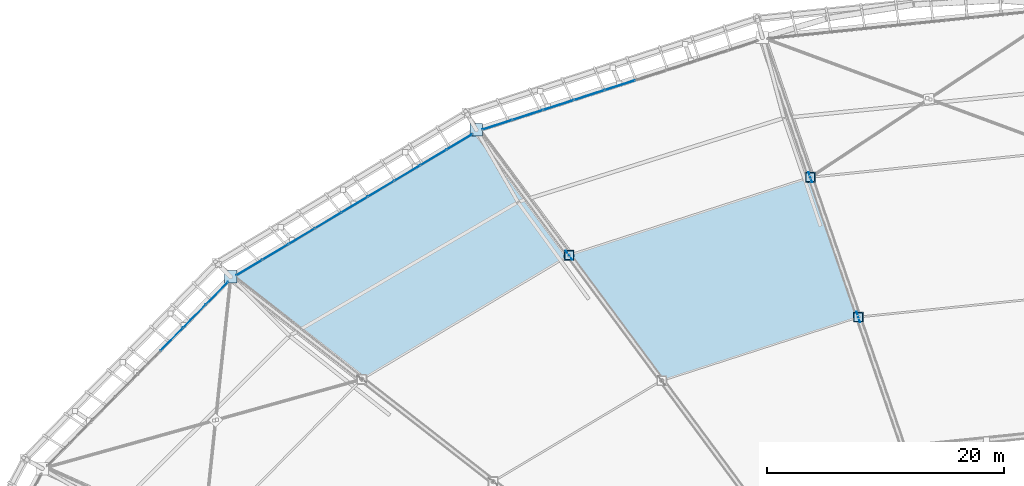
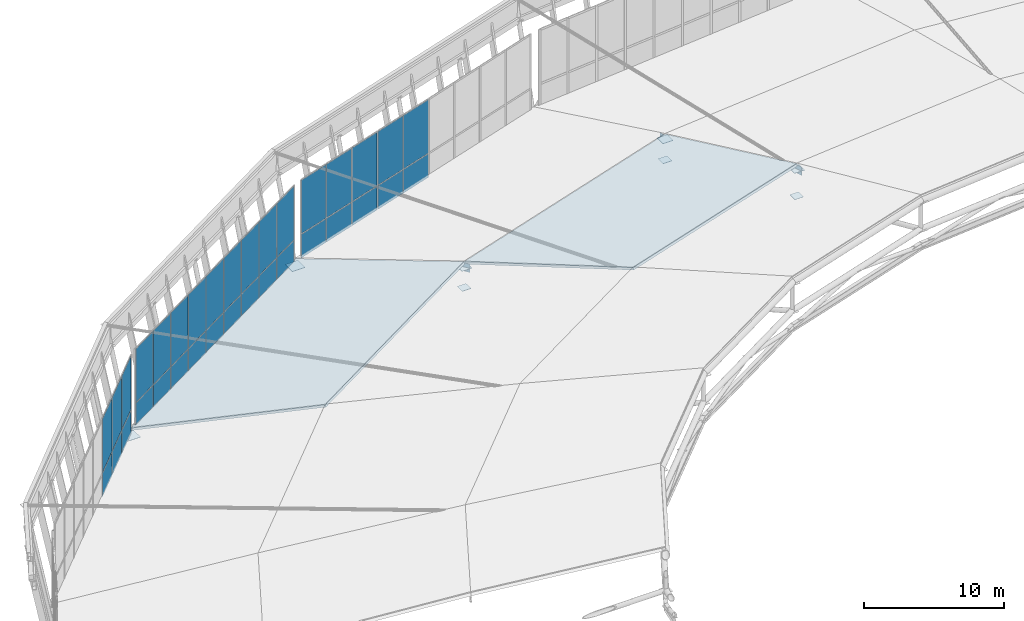
# One storey, part 96 of 115: 45 plates, 2 slabs, 4 elements without a shape of their own.
"""IFC4 building model written with IfcOpenShell, lengths in metres."""

from ifc_helpers import new_model, si_unit, direction, frame, origin, origin_2d, place, context, subcontext, project, spatial, polyline, rectangle, outline, extrude, material, layer, layer_set, type_object, element, aggregate, save


model = new_model("IFC4")

# Units and contexts
model_context = context("Model", 3, precision=1e-05, world=origin(), true_north=direction((0.0, 1.0)))
body_context = subcontext(model_context, "Body", "Model", "MODEL_VIEW")
ifc_project = project(units=[si_unit("LENGTHUNIT", "METRE"), si_unit("AREAUNIT", "SQUARE_METRE"), si_unit("VOLUMEUNIT", "CUBIC_METRE"), si_unit("PLANEANGLEUNIT", "RADIAN"), si_unit("MASSUNIT", "GRAM", prefix="KILO")], contexts=[model_context])

# Site, building, storey
site_placement = place(None, origin())
site = spatial("IfcSite", under=ifc_project, at=site_placement, CompositionType="ELEMENT")
building_placement = place(site_placement, origin())
building = spatial("IfcBuilding", under=site, at=building_placement, Name="Zlatoyarsky Gate Stadium", CompositionType="ELEMENT")
storey_placement = place(building_placement, frame((0.0, 0.0, 31.800048828125)))
storey = spatial("IfcBuildingStorey", under=building, at=storey_placement, Name="RF", CompositionType="ELEMENT", Elevation=31.800048828125)

# Roof, slabs
ifc_material_1 = material(Name="Standing-seam aluminium-zinc roofing with mineral wool insulation", Category="aluminium")
ifc_layer_1 = layer(ifc_material_1, 0.080078125)
ifc_layer_set_1 = layer_set([ifc_layer_1], Name="Standing-seam aluminium-zinc roofing with mineral wool insulation")
roof_type = type_object("IfcRoofType", Name="STADIUM BARREL VAULT ROOF ASSEMBLY", PredefinedType="BARREL_ROOF", material=ifc_layer_set_1)
roof_placement = place(storey_placement, origin())
roof = element("IfcRoof", 1, at=roof_placement, inside=storey, type_object=roof_type, Name="Stadium barrel arch roof sector 3", PredefinedType="BARREL_ROOF")
ifc_material_2 = material(Name="Concrete C40/50", Category="concrete")
ifc_layer_2 = layer(ifc_material_2, 0.199951171875)
ifc_layer_set_2 = layer_set([ifc_layer_2], Name="Concrete C40/50")
slab_type = type_object("IfcSlabType", Name="COMPOSITE STADIUM ROOF DECK SLAB 200", PredefinedType="ROOF", material=ifc_layer_set_2)
slab_1_placement = place(storey_placement, frame((89.159912109375, 143.581298828125, 3.599853515625), z_axis=(-0.075351968542, 0.233204753285, 0.969503802923), x_axis=(-0.951559522359, -0.30746459212, 3.31256e-07)))
slab_1 = element("IfcSlab", 2, at=slab_1_placement, type_object=slab_type, Name="Stadium arched roof deck sector 07 bay 2", PredefinedType="ROOF", context=body_context, shape_type="SweptSolid", body=[
    extrude(outline(polyline([(0.0, 0.0), (21.387588030422577, 1.7763568394002505e-15), (17.193709101244803, 12.853716278917284), (-0.22858825752056824, 12.853768736129387), (0.0, 0.0)])), origin(), (0.0, 0.0, -1.0), 0.199951171875),
])
slab_2_placement = place(storey_placement, frame((60.986083984375, 147.573974609375, 0.199951171875), z_axis=(-0.129152879329, 0.215770189277, 0.967865052154), x_axis=(-0.8580340905, -0.51359273704, 4.42967e-07)))
slab_2 = element("IfcSlab", 3, at=slab_2_placement, type_object=slab_type, Name="Stadium arched roof deck sector 08 bay 1", PredefinedType="ROOF", context=body_context, shape_type="SweptSolid", body=[
    extrude(outline(polyline([(0.0, 0.0), (24.1439241753555, 0.0), (19.08400200367485, 13.520068961575209), (-1.2838110588714116, 13.520147369410287), (0.0, 0.0)])), origin(), (0.0, 0.0, -1.0), 0.199951171875),
])
aggregate(roof, [slab_1, slab_2])

# Plates
ifc_material_3 = material(Name="Steel S355", Category="steel")
ifc_layer_3 = layer(ifc_material_3, 0.02392578125)
ifc_layer_set_3 = layer_set([ifc_layer_3], Name="Steel S355")
plate_type_1 = type_object("IfcPlateType", Name="STEEL COMPRESSION RING NODE CAP SHEET 24", PredefinedType="SHEET", material=ifc_layer_set_3)
for number, where, z_axis, x_axis, name in (
    (4, (60.986083984375, 147.573974609375, -0.4619140625), (0.0, 0.0, 1.0), (1.0, 0.0, 0.0), "Node closure plate ND-CR1 NCAP-CR-08"),
    (5, (40.269775390625, 135.173828125, -0.4619140625), (0.0, 0.0, 1.0), (1.0, 0.0, 0.0), "Node closure plate ND-CR1 NCAP-CR-09"),
):
    element("IfcPlate", number, at=place(storey_placement, frame(where, z_axis=z_axis, x_axis=x_axis)), inside=storey, type_object=plate_type_1, Name=name, PredefinedType="SHEET", context=body_context, shape_type="SweptSolid", body=[
        extrude(rectangle(XDim=1.050048828125, YDim=1.050048828125, at=origin_2d()), origin(), (0.0, 0.0, 1.0), 0.02392578125),
    ])
ifc_layer_4 = layer(ifc_material_3, 0.02392578125)
ifc_layer_set_4 = layer_set([ifc_layer_4], Name="Steel S355")
plate_type_2 = type_object("IfcPlateType", Name="STEEL HOLLOW CHORD SPLICE SHEET 24", PredefinedType="SHEET", material=ifc_layer_set_4)
plate_1_placement = place(storey_placement, frame((89.159912109375, 143.581298828125, 3.137939453125), z_axis=(0.0, 0.0, 1.0), x_axis=(1.0, 0.0, 0.0)))
element("IfcPlate", 6, at=plate_1_placement, inside=storey, type_object=plate_type_2, Name="Node closure plate ND-SP1 NCAP-TCH-07-1", PredefinedType="SHEET", context=body_context, shape_type="SweptSolid", body=[
    extrude(rectangle(XDim=0.85009765625, YDim=0.85009765625, at=origin_2d()), origin(), (0.0, 0.0, 1.0), 0.02392578125),
])
plate_2_placement = place(storey_placement, frame((89.159912109375, 143.581298828125, 1.337890625), z_axis=(0.0, 0.0, 1.0), x_axis=(1.0, 0.0, 0.0)))
element("IfcPlate", 7, at=plate_2_placement, inside=storey, type_object=plate_type_2, Name="Node closure plate ND-SP1 NCAP-BCH-07-1", PredefinedType="SHEET", context=body_context, shape_type="SweptSolid", body=[
    extrude(rectangle(XDim=0.719970703125, YDim=0.719970703125, at=origin_2d()), origin(), (0.0, 0.0, 1.0), 0.02392578125),
])
plate_3_placement = place(storey_placement, frame((93.208984375, 131.79345703125, 6.2880859375), z_axis=(0.0, 0.0, 1.0), x_axis=(1.0, 0.0, 0.0)))
element("IfcPlate", 8, at=plate_3_placement, inside=storey, type_object=plate_type_2, Name="Node closure plate ND-SP1 NCAP-TCH-07-2", PredefinedType="SHEET", context=body_context, shape_type="SweptSolid", body=[
    extrude(rectangle(XDim=0.85009765625, YDim=0.85009765625, at=origin_2d()), origin(), (0.0, 0.0, 1.0), 0.02392578125),
])
plate_4_placement = place(storey_placement, frame((93.208984375, 131.79345703125, 3.93798828125), z_axis=(0.0, 0.0, 1.0), x_axis=(1.0, 0.0, 0.0)))
element("IfcPlate", 9, at=plate_4_placement, inside=storey, type_object=plate_type_2, Name="Node closure plate ND-SP1 NCAP-BCH-07-2", PredefinedType="SHEET", context=body_context, shape_type="SweptSolid", body=[
    extrude(rectangle(XDim=0.719970703125, YDim=0.719970703125, at=origin_2d()), origin(), (0.0, 0.0, 1.0), 0.02392578125),
])
plate_5_placement = place(storey_placement, frame((68.808349609375, 137.00537109375, 3.137939453125), z_axis=(0.0, 0.0, 1.0), x_axis=(1.0, 0.0, 0.0)))
element("IfcPlate", 10, at=plate_5_placement, inside=storey, type_object=plate_type_2, Name="Node closure plate ND-SP1 NCAP-TCH-08-1", PredefinedType="SHEET", context=body_context, shape_type="SweptSolid", body=[
    extrude(rectangle(XDim=0.85009765625, YDim=0.85009765625, at=origin_2d()), origin(), (0.0, 0.0, 1.0), 0.02392578125),
])
plate_6_placement = place(storey_placement, frame((68.808349609375, 137.00537109375, 1.337890625), z_axis=(0.0, 0.0, 1.0), x_axis=(1.0, 0.0, 0.0)))
element("IfcPlate", 11, at=plate_6_placement, inside=storey, type_object=plate_type_2, Name="Node closure plate ND-SP1 NCAP-BCH-08-1", PredefinedType="SHEET", context=body_context, shape_type="SweptSolid", body=[
    extrude(rectangle(XDim=0.719970703125, YDim=0.719970703125, at=origin_2d()), origin(), (0.0, 0.0, 1.0), 0.02392578125),
])
ifc_layer_5 = layer(ifc_material_3, 0.031982421875)
ifc_layer_set_5 = layer_set([ifc_layer_5], Name="Steel S355")
plate_type_3 = type_object("IfcPlateType", Name="STEEL RADIAL TRUSS GUSSET PLATE 32", PredefinedType="USERDEFINED", material=ifc_layer_set_5)
for number, where, z_axis, x_axis, name in (
    (12, (89.159912109375, 143.581298828125, 2.7900390625), (0.0, 0.0, 1.0), (0.324866508477, -0.945759880556, 0.0), "Radial truss gusset plate ND-WB1 07.1"),
    (13, (93.208984375, 131.79345703125, 5.93994140625), (0.0, 0.0, 1.0), (0.324866508477, -0.945759880556, 0.0), "Radial truss gusset plate ND-WB1 07.2"),
    (14, (68.808349609375, 137.00537109375, 2.7900390625), (0.0, 0.0, 1.0), (0.594913145096, -0.8037899911, 0.0), "Radial truss gusset plate ND-WB1 08.1"),
):
    element("IfcPlate", number, at=place(storey_placement, frame(where, z_axis=z_axis, x_axis=x_axis)), inside=storey, type_object=plate_type_3, Name=name, ObjectType="GUSSET PLATE", PredefinedType="USERDEFINED", context=body_context, shape_type="SweptSolid", body=[
        extrude(rectangle(XDim=0.919921875, YDim=0.031982421875, at=origin_2d()), origin(), (0.0, 0.0, 1.0), 0.719970703125),
    ])

# Curtain wall, plates
ifc_material_4 = material(Name="Thermally broken anodised aluminium curtain wall", Category="aluminium")
curtain_wall_type = type_object("IfcCurtainWallType", Name="UNITISED SKYBOX RING GLAZING L05", PredefinedType="USERDEFINED", material=ifc_material_4)
curtain_wall_1_placement = place(storey_placement, origin())
curtain_wall_1 = element("IfcCurtainWall", 15, at=curtain_wall_1_placement, inside=storey, type_object=curtain_wall_type, Name="Curtain wall CW-RF-07", ObjectType="UNITISED GLAZING", PredefinedType="USERDEFINED")
ifc_material_5 = material(Name="Triple-glazed argon low-e architectural glass", Category="glass")
ifc_layer_6 = layer(ifc_material_5, 0.0380859375)
ifc_layer_set_6 = layer_set([ifc_layer_6], Name="Triple-glazed argon low-e architectural glass")
plate_type_4 = type_object("IfcPlateType", Name="TRIPLE GLAZED LOW E CURTAIN PANEL 38", PredefinedType="CURTAIN_PANEL", material=ifc_layer_set_6)
plate_7_placement = place(storey_placement, frame((73.101806640625, 151.343017578125, 0.06494140625), z_axis=(0.0, 0.0, 1.0), x_axis=(-0.951595836439, -0.307352182475, 0.0)))
plate_7 = element("IfcPlate", 16, at=plate_7_placement, type_object=plate_type_4, Name="CW-UG5 panel 5.1", PredefinedType="CURTAIN_PANEL", context=body_context, shape_type="SweptSolid", body=[
    extrude(rectangle(XDim=2.658935546875, YDim=0.0380859375, at=origin_2d()), origin(), (0.0, 0.0, 1.0), 2.052490234375),
])
plate_8_placement = place(storey_placement, frame((73.101806640625, 151.343017578125, 2.1826171875), z_axis=(0.0, 0.0, 1.0), x_axis=(-0.951595836439, -0.307352182475, 0.0)))
plate_8 = element("IfcPlate", 17, at=plate_8_placement, type_object=plate_type_4, Name="CW-UG5 panel 5.2", PredefinedType="CURTAIN_PANEL", context=body_context, shape_type="SweptSolid", body=[
    extrude(rectangle(XDim=2.658935546875, YDim=0.0380859375, at=origin_2d()), origin(), (0.0, 0.0, 1.0), 4.652587890625),
])
plate_9_placement = place(storey_placement, frame((70.509521484375, 150.505859375, 0.06494140625), z_axis=(0.0, 0.0, 1.0), x_axis=(-0.951595836439, -0.307352182475, 0.0)))
plate_9 = element("IfcPlate", 18, at=plate_9_placement, type_object=plate_type_4, Name="CW-UG5 panel 6.1", PredefinedType="CURTAIN_PANEL", context=body_context, shape_type="SweptSolid", body=[
    extrude(rectangle(XDim=2.658935546875, YDim=0.0380859375, at=origin_2d()), origin(), (0.0, 0.0, 1.0), 2.052490234375),
])
plate_10_placement = place(storey_placement, frame((70.509521484375, 150.505859375, 2.1826171875), z_axis=(0.0, 0.0, 1.0), x_axis=(-0.951595836439, -0.307352182475, 0.0)))
plate_10 = element("IfcPlate", 19, at=plate_10_placement, type_object=plate_type_4, Name="CW-UG5 panel 6.2", PredefinedType="CURTAIN_PANEL", context=body_context, shape_type="SweptSolid", body=[
    extrude(rectangle(XDim=2.658935546875, YDim=0.0380859375, at=origin_2d()), origin(), (0.0, 0.0, 1.0), 4.652587890625),
])
plate_11_placement = place(storey_placement, frame((67.917236328125, 149.668701171875, 0.06494140625), z_axis=(0.0, 0.0, 1.0), x_axis=(-0.951595836439, -0.307352182475, 0.0)))
plate_11 = element("IfcPlate", 20, at=plate_11_placement, type_object=plate_type_4, Name="CW-UG5 panel 7.1", PredefinedType="CURTAIN_PANEL", context=body_context, shape_type="SweptSolid", body=[
    extrude(rectangle(XDim=2.658935546875, YDim=0.0380859375, at=origin_2d()), origin(), (0.0, 0.0, 1.0), 2.052490234375),
])
plate_12_placement = place(storey_placement, frame((67.917236328125, 149.668701171875, 2.1826171875), z_axis=(0.0, 0.0, 1.0), x_axis=(-0.951595836439, -0.307352182475, 0.0)))
plate_12 = element("IfcPlate", 21, at=plate_12_placement, type_object=plate_type_4, Name="CW-UG5 panel 7.2", PredefinedType="CURTAIN_PANEL", context=body_context, shape_type="SweptSolid", body=[
    extrude(rectangle(XDim=2.658935546875, YDim=0.0380859375, at=origin_2d()), origin(), (0.0, 0.0, 1.0), 4.652587890625),
])
plate_13_placement = place(storey_placement, frame((65.3251953125, 148.831298828125, 0.06494140625), z_axis=(0.0, 0.0, 1.0), x_axis=(-0.951595836439, -0.307352182475, 0.0)))
plate_13 = element("IfcPlate", 22, at=plate_13_placement, type_object=plate_type_4, Name="CW-UG5 panel 8.1", PredefinedType="CURTAIN_PANEL", context=body_context, shape_type="SweptSolid", body=[
    extrude(rectangle(XDim=2.658935546875, YDim=0.0380859375, at=origin_2d()), origin(), (0.0, 0.0, 1.0), 2.052490234375),
])
plate_14_placement = place(storey_placement, frame((65.3251953125, 148.831298828125, 2.1826171875), z_axis=(0.0, 0.0, 1.0), x_axis=(-0.951595836439, -0.307352182475, 0.0)))
plate_14 = element("IfcPlate", 23, at=plate_14_placement, type_object=plate_type_4, Name="CW-UG5 panel 8.2", PredefinedType="CURTAIN_PANEL", context=body_context, shape_type="SweptSolid", body=[
    extrude(rectangle(XDim=2.658935546875, YDim=0.0380859375, at=origin_2d()), origin(), (0.0, 0.0, 1.0), 4.652587890625),
])
plate_15_placement = place(storey_placement, frame((62.748291015625, 147.9990234375, 0.06494140625), z_axis=(0.0, 0.0, 1.0), x_axis=(-0.951595836439, -0.307352182475, 0.0)))
plate_15 = element("IfcPlate", 24, at=plate_15_placement, type_object=plate_type_4, Name="CW-UG5 panel 9.1", PredefinedType="CURTAIN_PANEL", context=body_context, shape_type="SweptSolid", body=[
    extrude(rectangle(XDim=2.62646484375, YDim=0.0380859375, at=origin_2d()), origin(), (0.0, 0.0, 1.0), 2.052490234375),
])
plate_16_placement = place(storey_placement, frame((62.748291015625, 147.9990234375, 2.1826171875), z_axis=(0.0, 0.0, 1.0), x_axis=(-0.951595836439, -0.307352182475, 0.0)))
plate_16 = element("IfcPlate", 25, at=plate_16_placement, type_object=plate_type_4, Name="CW-UG5 panel 9.2", PredefinedType="CURTAIN_PANEL", context=body_context, shape_type="SweptSolid", body=[
    extrude(rectangle(XDim=2.62646484375, YDim=0.0380859375, at=origin_2d()), origin(), (0.0, 0.0, 1.0), 4.652587890625),
])
aggregate(curtain_wall_1, [plate_7, plate_8, plate_9, plate_10, plate_11, plate_12, plate_13, plate_14, plate_15, plate_16])

curtain_wall_2_placement = place(storey_placement, origin())
curtain_wall_2 = element("IfcCurtainWall", 26, at=curtain_wall_2_placement, inside=storey, type_object=curtain_wall_type, Name="Curtain wall CW-RF-08", ObjectType="UNITISED GLAZING", PredefinedType="USERDEFINED")
plate_17_placement = place(storey_placement, frame((59.587890625, 146.573974609375, 0.06494140625), z_axis=(0.0, 0.0, 1.0), x_axis=(-0.858127891517, -0.513435995817, 0.0)))
plate_17 = element("IfcPlate", 27, at=plate_17_placement, type_object=plate_type_4, Name="CW-UG5 panel 1.1", PredefinedType="CURTAIN_PANEL", context=body_context, shape_type="SweptSolid", body=[
    extrude(rectangle(XDim=2.4921875, YDim=0.0380859375, at=origin_2d()), origin(), (0.0, 0.0, 1.0), 2.052490234375),
])
plate_18_placement = place(storey_placement, frame((59.587890625, 146.573974609375, 2.1826171875), z_axis=(0.0, 0.0, 1.0), x_axis=(-0.858127891517, -0.513435995817, 0.0)))
plate_18 = element("IfcPlate", 28, at=plate_18_placement, type_object=plate_type_4, Name="CW-UG5 panel 1.2", PredefinedType="CURTAIN_PANEL", context=body_context, shape_type="SweptSolid", body=[
    extrude(rectangle(XDim=2.4921875, YDim=0.0380859375, at=origin_2d()), origin(), (0.0, 0.0, 1.0), 4.652587890625),
])
plate_19_placement = place(storey_placement, frame((57.37939453125, 145.252685546875, 0.06494140625), z_axis=(0.0, 0.0, 1.0), x_axis=(-0.858127891517, -0.513435995817, 0.0)))
plate_19 = element("IfcPlate", 29, at=plate_19_placement, type_object=plate_type_4, Name="CW-UG5 panel 2.1", PredefinedType="CURTAIN_PANEL", context=body_context, shape_type="SweptSolid", body=[
    extrude(rectangle(XDim=2.524658203125, YDim=0.0380859375, at=origin_2d()), origin(), (0.0, 0.0, 1.0), 2.052490234375),
])
plate_20_placement = place(storey_placement, frame((57.37939453125, 145.252685546875, 2.1826171875), z_axis=(0.0, 0.0, 1.0), x_axis=(-0.858127891517, -0.513435995817, 0.0)))
plate_20 = element("IfcPlate", 30, at=plate_20_placement, type_object=plate_type_4, Name="CW-UG5 panel 2.2", PredefinedType="CURTAIN_PANEL", context=body_context, shape_type="SweptSolid", body=[
    extrude(rectangle(XDim=2.524658203125, YDim=0.0380859375, at=origin_2d()), origin(), (0.0, 0.0, 1.0), 4.652587890625),
])
plate_21_placement = place(storey_placement, frame((55.1572265625, 143.923095703125, 0.06494140625), z_axis=(0.0, 0.0, 1.0), x_axis=(-0.858127891517, -0.513435995817, 0.0)))
plate_21 = element("IfcPlate", 31, at=plate_21_placement, type_object=plate_type_4, Name="CW-UG5 panel 3.1", PredefinedType="CURTAIN_PANEL", context=body_context, shape_type="SweptSolid", body=[
    extrude(rectangle(XDim=2.524658203125, YDim=0.0380859375, at=origin_2d()), origin(), (0.0, 0.0, 1.0), 2.052490234375),
])
plate_22_placement = place(storey_placement, frame((55.1572265625, 143.923095703125, 2.1826171875), z_axis=(0.0, 0.0, 1.0), x_axis=(-0.858127891517, -0.513435995817, 0.0)))
plate_22 = element("IfcPlate", 32, at=plate_22_placement, type_object=plate_type_4, Name="CW-UG5 panel 3.2", PredefinedType="CURTAIN_PANEL", context=body_context, shape_type="SweptSolid", body=[
    extrude(rectangle(XDim=2.524658203125, YDim=0.0380859375, at=origin_2d()), origin(), (0.0, 0.0, 1.0), 4.652587890625),
])
plate_23_placement = place(storey_placement, frame((52.934814453125, 142.593505859375, 0.06494140625), z_axis=(0.0, 0.0, 1.0), x_axis=(-0.858127891517, -0.513435995817, 0.0)))
plate_23 = element("IfcPlate", 33, at=plate_23_placement, type_object=plate_type_4, Name="CW-UG5 panel 4.1", PredefinedType="CURTAIN_PANEL", context=body_context, shape_type="SweptSolid", body=[
    extrude(rectangle(XDim=2.524658203125, YDim=0.0380859375, at=origin_2d()), origin(), (0.0, 0.0, 1.0), 2.052490234375),
])
plate_24_placement = place(storey_placement, frame((52.934814453125, 142.593505859375, 2.1826171875), z_axis=(0.0, 0.0, 1.0), x_axis=(-0.858127891517, -0.513435995817, 0.0)))
plate_24 = element("IfcPlate", 34, at=plate_24_placement, type_object=plate_type_4, Name="CW-UG5 panel 4.2", PredefinedType="CURTAIN_PANEL", context=body_context, shape_type="SweptSolid", body=[
    extrude(rectangle(XDim=2.524658203125, YDim=0.0380859375, at=origin_2d()), origin(), (0.0, 0.0, 1.0), 4.652587890625),
])
plate_25_placement = place(storey_placement, frame((50.71240234375, 141.263671875, 0.06494140625), z_axis=(0.0, 0.0, 1.0), x_axis=(-0.858127891517, -0.513435995817, 0.0)))
plate_25 = element("IfcPlate", 35, at=plate_25_placement, type_object=plate_type_4, Name="CW-UG5 panel 5.1", PredefinedType="CURTAIN_PANEL", context=body_context, shape_type="SweptSolid", body=[
    extrude(rectangle(XDim=2.524658203125, YDim=0.0380859375, at=origin_2d()), origin(), (0.0, 0.0, 1.0), 2.052490234375),
])
plate_26_placement = place(storey_placement, frame((50.71240234375, 141.263671875, 2.1826171875), z_axis=(0.0, 0.0, 1.0), x_axis=(-0.858127891517, -0.513435995817, 0.0)))
plate_26 = element("IfcPlate", 36, at=plate_26_placement, type_object=plate_type_4, Name="CW-UG5 panel 5.2", PredefinedType="CURTAIN_PANEL", context=body_context, shape_type="SweptSolid", body=[
    extrude(rectangle(XDim=2.524658203125, YDim=0.0380859375, at=origin_2d()), origin(), (0.0, 0.0, 1.0), 4.652587890625),
])
plate_27_placement = place(storey_placement, frame((48.490234375, 139.93408203125, 0.06494140625), z_axis=(0.0, 0.0, 1.0), x_axis=(-0.858127891517, -0.513435995817, 0.0)))
plate_27 = element("IfcPlate", 37, at=plate_27_placement, type_object=plate_type_4, Name="CW-UG5 panel 6.1", PredefinedType="CURTAIN_PANEL", context=body_context, shape_type="SweptSolid", body=[
    extrude(rectangle(XDim=2.524658203125, YDim=0.0380859375, at=origin_2d()), origin(), (0.0, 0.0, 1.0), 2.052490234375),
])
plate_28_placement = place(storey_placement, frame((48.490234375, 139.93408203125, 2.1826171875), z_axis=(0.0, 0.0, 1.0), x_axis=(-0.858127891517, -0.513435995817, 0.0)))
plate_28 = element("IfcPlate", 38, at=plate_28_placement, type_object=plate_type_4, Name="CW-UG5 panel 6.2", PredefinedType="CURTAIN_PANEL", context=body_context, shape_type="SweptSolid", body=[
    extrude(rectangle(XDim=2.524658203125, YDim=0.0380859375, at=origin_2d()), origin(), (0.0, 0.0, 1.0), 4.652587890625),
])
plate_29_placement = place(storey_placement, frame((46.267822265625, 138.6044921875, 0.06494140625), z_axis=(0.0, 0.0, 1.0), x_axis=(-0.858127891517, -0.513435995817, 0.0)))
plate_29 = element("IfcPlate", 39, at=plate_29_placement, type_object=plate_type_4, Name="CW-UG5 panel 7.1", PredefinedType="CURTAIN_PANEL", context=body_context, shape_type="SweptSolid", body=[
    extrude(rectangle(XDim=2.524658203125, YDim=0.0380859375, at=origin_2d()), origin(), (0.0, 0.0, 1.0), 2.052490234375),
])
plate_30_placement = place(storey_placement, frame((46.267822265625, 138.6044921875, 2.1826171875), z_axis=(0.0, 0.0, 1.0), x_axis=(-0.858127891517, -0.513435995817, 0.0)))
plate_30 = element("IfcPlate", 40, at=plate_30_placement, type_object=plate_type_4, Name="CW-UG5 panel 7.2", PredefinedType="CURTAIN_PANEL", context=body_context, shape_type="SweptSolid", body=[
    extrude(rectangle(XDim=2.524658203125, YDim=0.0380859375, at=origin_2d()), origin(), (0.0, 0.0, 1.0), 4.652587890625),
])
plate_31_placement = place(storey_placement, frame((44.045654296875, 137.27490234375, 0.06494140625), z_axis=(0.0, 0.0, 1.0), x_axis=(-0.858127891517, -0.513435995817, 0.0)))
plate_31 = element("IfcPlate", 41, at=plate_31_placement, type_object=plate_type_4, Name="CW-UG5 panel 8.1", PredefinedType="CURTAIN_PANEL", context=body_context, shape_type="SweptSolid", body=[
    extrude(rectangle(XDim=2.524658203125, YDim=0.0380859375, at=origin_2d()), origin(), (0.0, 0.0, 1.0), 2.052490234375),
])
plate_32_placement = place(storey_placement, frame((44.045654296875, 137.27490234375, 2.1826171875), z_axis=(0.0, 0.0, 1.0), x_axis=(-0.858127891517, -0.513435995817, 0.0)))
plate_32 = element("IfcPlate", 42, at=plate_32_placement, type_object=plate_type_4, Name="CW-UG5 panel 8.2", PredefinedType="CURTAIN_PANEL", context=body_context, shape_type="SweptSolid", body=[
    extrude(rectangle(XDim=2.524658203125, YDim=0.0380859375, at=origin_2d()), origin(), (0.0, 0.0, 1.0), 4.652587890625),
])
plate_33_placement = place(storey_placement, frame((41.837158203125, 135.953369140625, 0.06494140625), z_axis=(0.0, 0.0, 1.0), x_axis=(-0.858127891517, -0.513435995817, 0.0)))
plate_33 = element("IfcPlate", 43, at=plate_33_placement, type_object=plate_type_4, Name="CW-UG5 panel 9.1", PredefinedType="CURTAIN_PANEL", context=body_context, shape_type="SweptSolid", body=[
    extrude(rectangle(XDim=2.4921875, YDim=0.0380859375, at=origin_2d()), origin(), (0.0, 0.0, 1.0), 2.052490234375),
])
plate_34_placement = place(storey_placement, frame((41.837158203125, 135.953369140625, 2.1826171875), z_axis=(0.0, 0.0, 1.0), x_axis=(-0.858127891517, -0.513435995817, 0.0)))
plate_34 = element("IfcPlate", 44, at=plate_34_placement, type_object=plate_type_4, Name="CW-UG5 panel 9.2", PredefinedType="CURTAIN_PANEL", context=body_context, shape_type="SweptSolid", body=[
    extrude(rectangle(XDim=2.4921875, YDim=0.0380859375, at=origin_2d()), origin(), (0.0, 0.0, 1.0), 4.652587890625),
])
aggregate(curtain_wall_2, [plate_17, plate_18, plate_19, plate_20, plate_21, plate_22, plate_23, plate_24, plate_25, plate_26, plate_27, plate_28, plate_29, plate_30, plate_31, plate_32, plate_33, plate_34])

curtain_wall_3_placement = place(storey_placement, origin())
curtain_wall_3 = element("IfcCurtainWall", 45, at=curtain_wall_3_placement, inside=storey, type_object=curtain_wall_type, Name="Curtain wall CW-RF-09", ObjectType="UNITISED GLAZING", PredefinedType="USERDEFINED")
plate_35_placement = place(storey_placement, frame((39.119873046875, 133.8056640625, 0.06494140625), z_axis=(0.0, 0.0, 1.0), x_axis=(-0.701401848456, -0.712766053473, 0.0)))
plate_35 = element("IfcPlate", 46, at=plate_35_placement, type_object=plate_type_4, Name="CW-UG5 panel 1.1", PredefinedType="CURTAIN_PANEL", context=body_context, shape_type="SweptSolid", body=[
    extrude(rectangle(XDim=2.63134765625, YDim=0.0380859375, at=origin_2d()), origin(), (0.0, 0.0, 1.0), 2.052490234375),
])
plate_36_placement = place(storey_placement, frame((39.119873046875, 133.8056640625, 2.1826171875), z_axis=(0.0, 0.0, 1.0), x_axis=(-0.701401848456, -0.712766053473, 0.0)))
plate_36 = element("IfcPlate", 47, at=plate_36_placement, type_object=plate_type_4, Name="CW-UG5 panel 1.2", PredefinedType="CURTAIN_PANEL", context=body_context, shape_type="SweptSolid", body=[
    extrude(rectangle(XDim=2.63134765625, YDim=0.0380859375, at=origin_2d()), origin(), (0.0, 0.0, 1.0), 4.652587890625),
])
plate_37_placement = place(storey_placement, frame((37.217041015625, 131.8720703125, 0.06494140625), z_axis=(0.0, 0.0, 1.0), x_axis=(-0.701401848456, -0.712766053473, 0.0)))
plate_37 = element("IfcPlate", 48, at=plate_37_placement, type_object=plate_type_4, Name="CW-UG5 panel 2.1", PredefinedType="CURTAIN_PANEL", context=body_context, shape_type="SweptSolid", body=[
    extrude(rectangle(XDim=2.6640625, YDim=0.0380859375, at=origin_2d()), origin(), (0.0, 0.0, 1.0), 2.052490234375),
])
plate_38_placement = place(storey_placement, frame((37.217041015625, 131.8720703125, 2.1826171875), z_axis=(0.0, 0.0, 1.0), x_axis=(-0.701401848456, -0.712766053473, 0.0)))
plate_38 = element("IfcPlate", 49, at=plate_38_placement, type_object=plate_type_4, Name="CW-UG5 panel 2.2", PredefinedType="CURTAIN_PANEL", context=body_context, shape_type="SweptSolid", body=[
    extrude(rectangle(XDim=2.6640625, YDim=0.0380859375, at=origin_2d()), origin(), (0.0, 0.0, 1.0), 4.652587890625),
])
plate_39_placement = place(storey_placement, frame((35.302978515625, 129.927001953125, 0.06494140625), z_axis=(0.0, 0.0, 1.0), x_axis=(-0.701401848456, -0.712766053473, 0.0)))
plate_39 = element("IfcPlate", 50, at=plate_39_placement, type_object=plate_type_4, Name="CW-UG5 panel 3.1", PredefinedType="CURTAIN_PANEL", context=body_context, shape_type="SweptSolid", body=[
    extrude(rectangle(XDim=2.6640625, YDim=0.0380859375, at=origin_2d()), origin(), (0.0, 0.0, 1.0), 2.052490234375),
])
plate_40_placement = place(storey_placement, frame((35.302978515625, 129.927001953125, 2.1826171875), z_axis=(0.0, 0.0, 1.0), x_axis=(-0.701401848456, -0.712766053473, 0.0)))
plate_40 = element("IfcPlate", 51, at=plate_40_placement, type_object=plate_type_4, Name="CW-UG5 panel 3.2", PredefinedType="CURTAIN_PANEL", context=body_context, shape_type="SweptSolid", body=[
    extrude(rectangle(XDim=2.6640625, YDim=0.0380859375, at=origin_2d()), origin(), (0.0, 0.0, 1.0), 4.652587890625),
])
aggregate(curtain_wall_3, [plate_35, plate_36, plate_37, plate_38, plate_39, plate_40])

save(model, "model.ifc")
